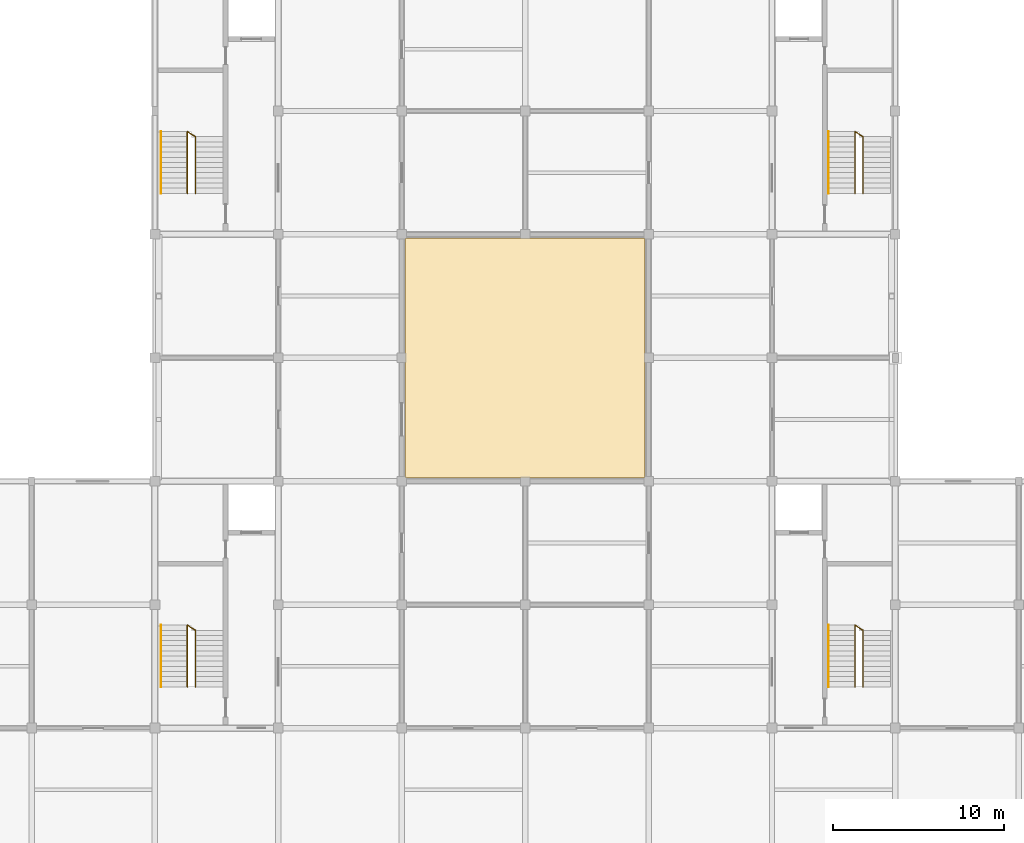
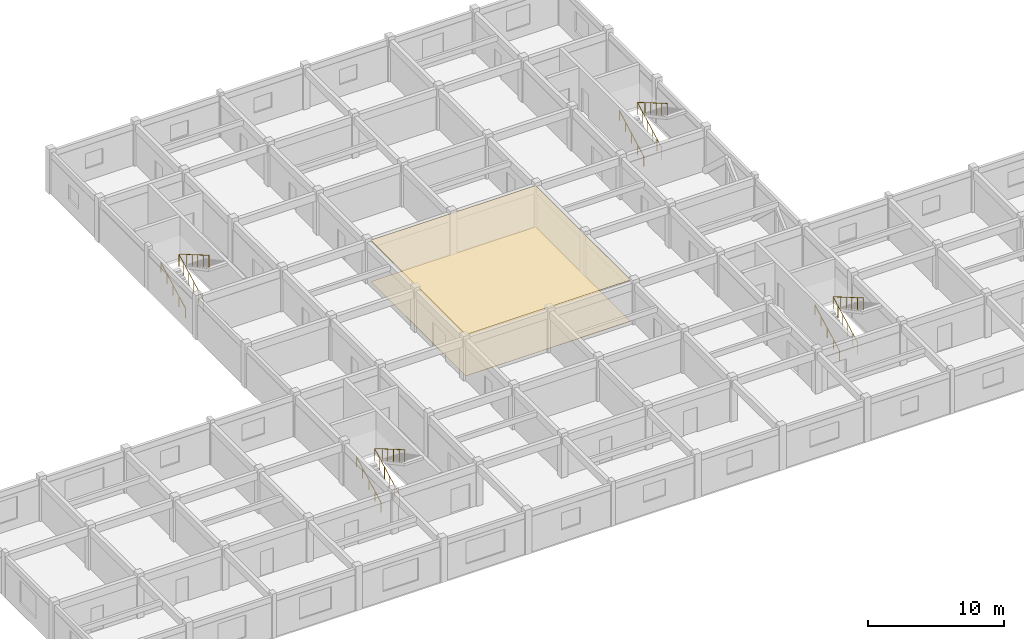
# One storey, part 10 of 10: 8 railings, 2 coverings.
"""IFC4 building model written with IfcOpenShell, lengths in metres."""

from ifc_helpers import new_model, si_unit, direction, frame, origin, origin_2d, place, context, subcontext, project, spatial, polyline, circle, outline, extrude, material, layer, layer_set, type_object, element, save


model = new_model("IFC4")

# Units and contexts
model_context = context("Model", 3, precision=1e-05, world=origin(), true_north=direction((0.0, 1.0)))
body_context = subcontext(model_context, "Body", "Model", "MODEL_VIEW")
ifc_project = project(units=[si_unit("LENGTHUNIT", "METRE"), si_unit("AREAUNIT", "SQUARE_METRE"), si_unit("VOLUMEUNIT", "CUBIC_METRE"), si_unit("PLANEANGLEUNIT", "RADIAN"), si_unit("MASSUNIT", "GRAM", prefix="KILO")], contexts=[model_context])

# Site, building, storey
site_placement = place(None, origin())
site = spatial("IfcSite", under=ifc_project, at=site_placement, CompositionType="ELEMENT")
building_placement = place(site_placement, origin())
building = spatial("IfcBuilding", under=site, at=building_placement, Name="Cendaluz Park School", CompositionType="ELEMENT")
storey_placement = place(building_placement, frame((0.0, 0.0, 38.800048828125)))
storey = spatial("IfcBuildingStorey", under=building, at=storey_placement, Name="L09", CompositionType="ELEMENT", Elevation=38.800048828125)

# Coverings
ifc_material_1 = material(Name="Mineral Fibre Acoustic Tile")
ifc_layer_1 = layer(ifc_material_1, 0.030029296875)
ifc_layer_set_1 = layer_set([ifc_layer_1], Name="Mineral Fibre Acoustic Tile")
covering_type_1 = type_object("IfcCoveringType", Name="CV-CLG01", PredefinedType="CEILING", material=ifc_layer_set_1)
covering_1_placement = place(storey_placement, frame((0.0, 0.0, 3.7099609375)))
element("IfcCovering", 1, at=covering_1_placement, inside=storey, type_object=covering_type_1, Name="CV-CLG-L09-01", PredefinedType="CEILING", context=body_context, shape_type="SweptSolid", body=[
    extrude(outline(polyline([(79.39990234375, 29.0), (93.39990234375, 29.0), (93.39990234375, 43.0), (79.39990234375, 43.0), (79.39990234375, 29.0)])), origin(), (0.0, 0.0, 1.0), 0.030029296875),
])
ifc_material_2 = material(Name="Polished Terrazzo Tile")
ifc_layer_2 = layer(ifc_material_2, 0.02001953125)
ifc_layer_set_2 = layer_set([ifc_layer_2], Name="Polished Terrazzo Tile")
covering_type_2 = type_object("IfcCoveringType", Name="CV-FLR01", PredefinedType="FLOORING", material=ifc_layer_set_2)
covering_2_placement = place(storey_placement, origin())
element("IfcCovering", 2, at=covering_2_placement, inside=storey, type_object=covering_type_2, Name="CV-FLR-L09-01", PredefinedType="FLOORING", context=body_context, shape_type="SweptSolid", body=[
    extrude(outline(polyline([(79.39990234375, 29.0), (93.39990234375, 29.0), (93.39990234375, 43.0), (79.39990234375, 43.0), (79.39990234375, 29.0)])), origin(), (0.0, 0.0, 1.0), 0.02001953125),
])

# Railings
ifc_material_3 = material(Name="Wrought Iron")
railing_type_1 = type_object("IfcRailingType", Name="GR-ST01", PredefinedType="BALUSTRADE", material=ifc_material_3)
railing_1_placement = place(storey_placement, frame((66.68994140625, 16.800048828125, 0.159912109375)))
element("IfcRailing", 3, at=railing_1_placement, inside=storey, type_object=railing_type_1, Name="GR-ST-021", PredefinedType="BALUSTRADE", context=body_context, shape_type="SweptSolid", body=[
    extrude(circle(Radius=0.02392578125, at=origin_2d()), frame((0.0, 0.0, 1.076171875), z_axis=(0.0, 0.882352941176, 0.470588235294), x_axis=(-1.0, 0.0, 0.0)), (0.0, 0.0, 1.0), 4.079833984375),
    extrude(circle(Radius=0.02392578125, at=origin_2d()), frame((0.0, 3.599853515625, 2.99609375), z_axis=(0.843065864119, -0.537810327864, 0.0), x_axis=(0.537810327864, 0.843065864119, 0.0)), (0.0, 0.0, 1.0), 0.557373046875),
    extrude(circle(Radius=0.02392578125, at=origin_2d()), frame((0.469970703125, 3.300048828125, 2.99609375), z_axis=(0.0, -0.86433267106, 0.502920504393), x_axis=(1.0, 0.0, 0.0)), (0.0, 0.0, 1.0), 3.818115234375),
    extrude(circle(Radius=0.02099609375, at=origin_2d()), origin(), (0.0, 0.0, 1.0), 1.052001953125),
    extrude(circle(Radius=0.02099609375, at=origin_2d()), frame((0.0, 0.719970703125, 0.384033203125)), (0.0, 0.0, 1.0), 1.052001953125),
    extrude(circle(Radius=0.02099609375, at=origin_2d()), frame((0.0, 1.43994140625, 0.76806640625)), (0.0, 0.0, 1.0), 1.052001953125),
    extrude(circle(Radius=0.02099609375, at=origin_2d()), frame((0.0, 2.159912109375, 1.15185546875)), (0.0, 0.0, 1.0), 1.052001953125),
    extrude(circle(Radius=0.02099609375, at=origin_2d()), frame((0.0, 2.8798828125, 1.535888671875)), (0.0, 0.0, 1.0), 1.052001953125),
    extrude(circle(Radius=0.02099609375, at=origin_2d()), frame((0.0, 3.599853515625, 1.919921875)), (0.0, 0.0, 1.0), 1.052001953125),
    extrude(circle(Radius=0.02099609375, at=origin_2d()), frame((0.469970703125, 3.300048828125, 1.919921875)), (0.0, 0.0, 1.0), 1.052001953125),
    extrude(circle(Radius=0.02099609375, at=origin_2d()), frame((0.469970703125, 2.47509765625, 2.39990234375)), (0.0, 0.0, 1.0), 1.052001953125),
    extrude(circle(Radius=0.02099609375, at=origin_2d()), frame((0.469970703125, 1.64990234375, 2.8798828125)), (0.0, 0.0, 1.0), 1.052001953125),
    extrude(circle(Radius=0.02099609375, at=origin_2d()), frame((0.469970703125, 0.824951171875, 3.360107421875)), (0.0, 0.0, 1.0), 1.052001953125),
    extrude(circle(Radius=0.02099609375, at=origin_2d()), frame((0.469970703125, 0.0, 3.840087890625)), (0.0, 0.0, 1.0), 1.052001953125),
])
railing_2_placement = place(storey_placement, frame((105.639892578125, 16.800048828125, 0.159912109375)))
element("IfcRailing", 4, at=railing_2_placement, inside=storey, type_object=railing_type_1, Name="GR-ST-056", PredefinedType="BALUSTRADE", context=body_context, shape_type="SweptSolid", body=[
    extrude(circle(Radius=0.02392578125, at=origin_2d()), frame((0.0, 0.0, 1.076171875), z_axis=(0.0, 0.882352941176, 0.470588235294), x_axis=(-1.0, 0.0, 0.0)), (0.0, 0.0, 1.0), 4.079833984375),
    extrude(circle(Radius=0.02392578125, at=origin_2d()), frame((0.0, 3.599853515625, 2.99609375), z_axis=(0.843192468449, -0.537611812697, 0.0), x_axis=(0.537611812697, 0.843192468449, 0.0)), (0.0, 0.0, 1.0), 0.5576171875),
    extrude(circle(Radius=0.02392578125, at=origin_2d()), frame((0.47021484375, 3.300048828125, 2.99609375), z_axis=(0.0, -0.86433267106, 0.502920504393), x_axis=(1.0, 0.0, 0.0)), (0.0, 0.0, 1.0), 3.818115234375),
    extrude(circle(Radius=0.02099609375, at=origin_2d()), origin(), (0.0, 0.0, 1.0), 1.052001953125),
    extrude(circle(Radius=0.02099609375, at=origin_2d()), frame((0.0, 0.719970703125, 0.384033203125)), (0.0, 0.0, 1.0), 1.052001953125),
    extrude(circle(Radius=0.02099609375, at=origin_2d()), frame((0.0, 1.43994140625, 0.76806640625)), (0.0, 0.0, 1.0), 1.052001953125),
    extrude(circle(Radius=0.02099609375, at=origin_2d()), frame((0.0, 2.159912109375, 1.15185546875)), (0.0, 0.0, 1.0), 1.052001953125),
    extrude(circle(Radius=0.02099609375, at=origin_2d()), frame((0.0, 2.8798828125, 1.535888671875)), (0.0, 0.0, 1.0), 1.052001953125),
    extrude(circle(Radius=0.02099609375, at=origin_2d()), frame((0.0, 3.599853515625, 1.919921875)), (0.0, 0.0, 1.0), 1.052001953125),
    extrude(circle(Radius=0.02099609375, at=origin_2d()), frame((0.47021484375, 3.300048828125, 1.919921875)), (0.0, 0.0, 1.0), 1.052001953125),
    extrude(circle(Radius=0.02099609375, at=origin_2d()), frame((0.47021484375, 2.47509765625, 2.39990234375)), (0.0, 0.0, 1.0), 1.052001953125),
    extrude(circle(Radius=0.02099609375, at=origin_2d()), frame((0.47021484375, 1.64990234375, 2.8798828125)), (0.0, 0.0, 1.0), 1.052001953125),
    extrude(circle(Radius=0.02099609375, at=origin_2d()), frame((0.47021484375, 0.824951171875, 3.360107421875)), (0.0, 0.0, 1.0), 1.052001953125),
    extrude(circle(Radius=0.02099609375, at=origin_2d()), frame((0.47021484375, 0.0, 3.840087890625)), (0.0, 0.0, 1.0), 1.052001953125),
])
railing_3_placement = place(storey_placement, frame((66.68994140625, 45.60009765625, 0.159912109375)))
element("IfcRailing", 5, at=railing_3_placement, inside=storey, type_object=railing_type_1, Name="GR-ST-091", PredefinedType="BALUSTRADE", context=body_context, shape_type="SweptSolid", body=[
    extrude(circle(Radius=0.02392578125, at=origin_2d()), frame((0.0, 0.0, 1.076171875), z_axis=(0.0, 0.882352941176, 0.470588235294), x_axis=(-1.0, 0.0, 0.0)), (0.0, 0.0, 1.0), 4.079833984375),
    extrude(circle(Radius=0.02392578125, at=origin_2d()), frame((0.0, 3.599853515625, 2.99609375), z_axis=(0.842867279897, -0.538121499737, 0.0), x_axis=(0.538121499737, 0.842867279897, 0.0)), (0.0, 0.0, 1.0), 0.5576171875),
    extrude(circle(Radius=0.02392578125, at=origin_2d()), frame((0.469970703125, 3.2998046875, 2.99609375), z_axis=(0.0, -0.864316496394, 0.502948301579), x_axis=(1.0, 0.0, 0.0)), (0.0, 0.0, 1.0), 3.81787109375),
    extrude(circle(Radius=0.02099609375, at=origin_2d()), origin(), (0.0, 0.0, 1.0), 1.052001953125),
    extrude(circle(Radius=0.02099609375, at=origin_2d()), frame((0.0, 0.719970703125, 0.384033203125)), (0.0, 0.0, 1.0), 1.052001953125),
    extrude(circle(Radius=0.02099609375, at=origin_2d()), frame((0.0, 1.43994140625, 0.76806640625)), (0.0, 0.0, 1.0), 1.052001953125),
    extrude(circle(Radius=0.02099609375, at=origin_2d()), frame((0.0, 2.159912109375, 1.15185546875)), (0.0, 0.0, 1.0), 1.052001953125),
    extrude(circle(Radius=0.02099609375, at=origin_2d()), frame((0.0, 2.8798828125, 1.535888671875)), (0.0, 0.0, 1.0), 1.052001953125),
    extrude(circle(Radius=0.02099609375, at=origin_2d()), frame((0.0, 3.599853515625, 1.919921875)), (0.0, 0.0, 1.0), 1.052001953125),
    extrude(circle(Radius=0.02099609375, at=origin_2d()), frame((0.469970703125, 3.2998046875, 1.919921875)), (0.0, 0.0, 1.0), 1.052001953125),
    extrude(circle(Radius=0.02099609375, at=origin_2d()), frame((0.469970703125, 2.474853515625, 2.39990234375)), (0.0, 0.0, 1.0), 1.052001953125),
    extrude(circle(Radius=0.02099609375, at=origin_2d()), frame((0.469970703125, 1.64990234375, 2.8798828125)), (0.0, 0.0, 1.0), 1.052001953125),
    extrude(circle(Radius=0.02099609375, at=origin_2d()), frame((0.469970703125, 0.824951171875, 3.360107421875)), (0.0, 0.0, 1.0), 1.052001953125),
    extrude(circle(Radius=0.02099609375, at=origin_2d()), frame((0.469970703125, 0.0, 3.840087890625)), (0.0, 0.0, 1.0), 1.052001953125),
])
railing_4_placement = place(storey_placement, frame((105.639892578125, 45.60009765625, 0.159912109375)))
element("IfcRailing", 6, at=railing_4_placement, inside=storey, type_object=railing_type_1, Name="GR-ST-126", PredefinedType="BALUSTRADE", context=body_context, shape_type="SweptSolid", body=[
    extrude(circle(Radius=0.02392578125, at=origin_2d()), frame((0.0, 0.0, 1.076171875), z_axis=(0.0, 0.882352941176, 0.470588235294), x_axis=(-1.0, 0.0, 0.0)), (0.0, 0.0, 1.0), 4.079833984375),
    extrude(circle(Radius=0.02392578125, at=origin_2d()), frame((0.0, 3.599853515625, 2.99609375), z_axis=(0.84299400095, -0.537922963223, 0.0), x_axis=(0.537922963223, 0.84299400095, 0.0)), (0.0, 0.0, 1.0), 0.557861328125),
    extrude(circle(Radius=0.02392578125, at=origin_2d()), frame((0.47021484375, 3.2998046875, 2.99609375), z_axis=(0.0, -0.864316496394, 0.502948301579), x_axis=(1.0, 0.0, 0.0)), (0.0, 0.0, 1.0), 3.81787109375),
    extrude(circle(Radius=0.02099609375, at=origin_2d()), origin(), (0.0, 0.0, 1.0), 1.052001953125),
    extrude(circle(Radius=0.02099609375, at=origin_2d()), frame((0.0, 0.719970703125, 0.384033203125)), (0.0, 0.0, 1.0), 1.052001953125),
    extrude(circle(Radius=0.02099609375, at=origin_2d()), frame((0.0, 1.43994140625, 0.76806640625)), (0.0, 0.0, 1.0), 1.052001953125),
    extrude(circle(Radius=0.02099609375, at=origin_2d()), frame((0.0, 2.159912109375, 1.15185546875)), (0.0, 0.0, 1.0), 1.052001953125),
    extrude(circle(Radius=0.02099609375, at=origin_2d()), frame((0.0, 2.8798828125, 1.535888671875)), (0.0, 0.0, 1.0), 1.052001953125),
    extrude(circle(Radius=0.02099609375, at=origin_2d()), frame((0.0, 3.599853515625, 1.919921875)), (0.0, 0.0, 1.0), 1.052001953125),
    extrude(circle(Radius=0.02099609375, at=origin_2d()), frame((0.47021484375, 3.2998046875, 1.919921875)), (0.0, 0.0, 1.0), 1.052001953125),
    extrude(circle(Radius=0.02099609375, at=origin_2d()), frame((0.47021484375, 2.474853515625, 2.39990234375)), (0.0, 0.0, 1.0), 1.052001953125),
    extrude(circle(Radius=0.02099609375, at=origin_2d()), frame((0.47021484375, 1.64990234375, 2.8798828125)), (0.0, 0.0, 1.0), 1.052001953125),
    extrude(circle(Radius=0.02099609375, at=origin_2d()), frame((0.47021484375, 0.824951171875, 3.360107421875)), (0.0, 0.0, 1.0), 1.052001953125),
    extrude(circle(Radius=0.02099609375, at=origin_2d()), frame((0.47021484375, 0.0, 3.840087890625)), (0.0, 0.0, 1.0), 1.052001953125),
])
ifc_material_4 = material(Name="Architectural Bronze")
railing_type_2 = type_object("IfcRailingType", Name="HR-ST01", PredefinedType="HANDRAIL", material=ifc_material_4)
for number, where, name in (
    (7, (65.14990234375, 16.800048828125, 0.159912109375), "HR-ST-022"),
    (8, (104.10009765625, 16.800048828125, 0.159912109375), "HR-ST-057"),
    (9, (65.14990234375, 45.60009765625, 0.159912109375), "HR-ST-092"),
    (10, (104.10009765625, 45.60009765625, 0.159912109375), "HR-ST-127"),
):
    element("IfcRailing", number, at=place(storey_placement, frame(where)), inside=storey, type_object=railing_type_2, Name=name, PredefinedType="HANDRAIL", context=body_context, shape_type="SweptSolid", body=[
        extrude(circle(Radius=0.02392578125, at=origin_2d()), frame((0.0, 0.0, 0.8759765625), z_axis=(0.0, 0.882352941176, 0.470588235294), x_axis=(-1.0, 0.0, 0.0)), (0.0, 0.0, 1.0), 4.079833984375),
        extrude(circle(Radius=0.02099609375, at=origin_2d()), origin(), (0.0, 0.0, 1.0), 0.851806640625),
        extrude(circle(Radius=0.02099609375, at=origin_2d()), frame((0.0, 0.89990234375, 0.47998046875)), (0.0, 0.0, 1.0), 0.851806640625),
        extrude(circle(Radius=0.02099609375, at=origin_2d()), frame((0.0, 1.7998046875, 0.9599609375)), (0.0, 0.0, 1.0), 0.851806640625),
        extrude(circle(Radius=0.02099609375, at=origin_2d()), frame((0.0, 2.699951171875, 1.43994140625)), (0.0, 0.0, 1.0), 0.851806640625),
        extrude(circle(Radius=0.02099609375, at=origin_2d()), frame((0.0, 3.599853515625, 1.919921875)), (0.0, 0.0, 1.0), 0.851806640625),
    ])

save(model, "model.ifc")
